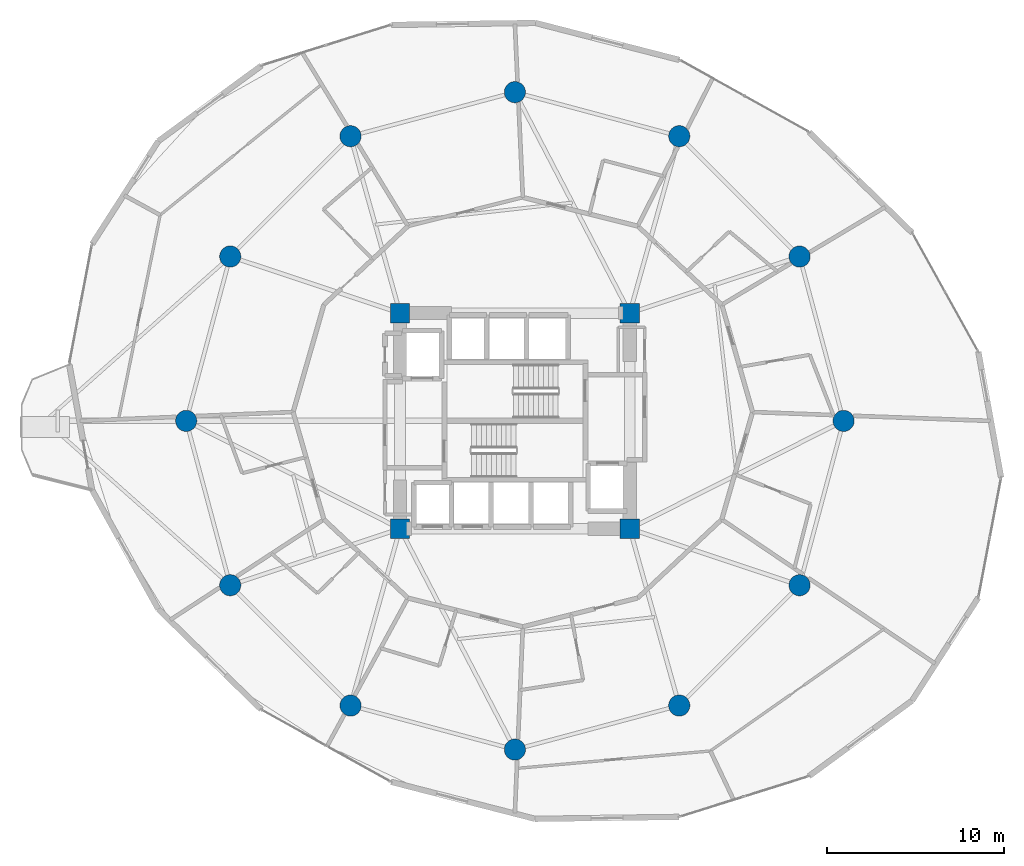
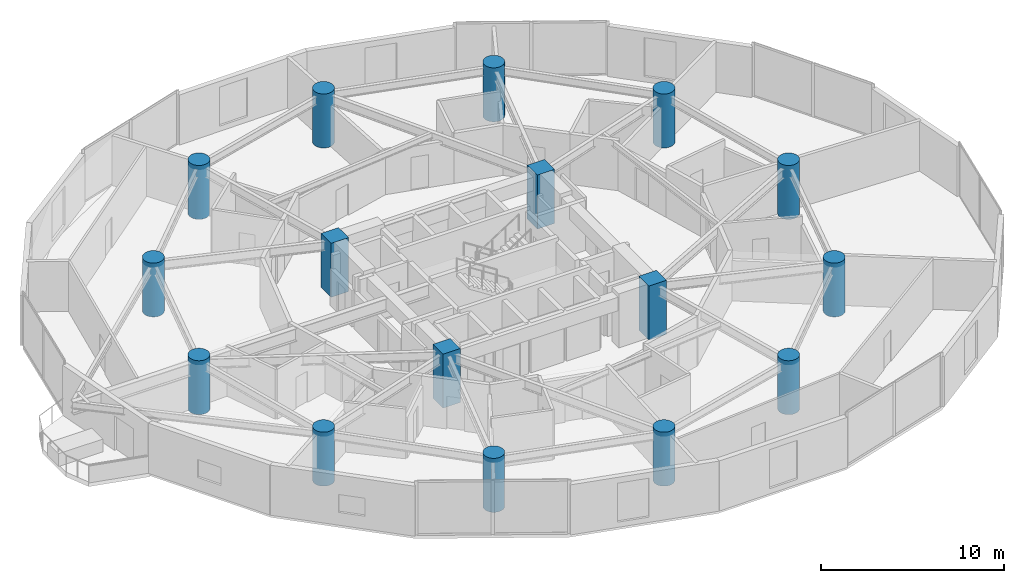
# One storey, part 1 of 22: 16 columns.
"""IFC4 building model written with IfcOpenShell, lengths in metres."""

from ifc_helpers import new_model, si_unit, direction, frame, origin, origin_2d, place, context, subcontext, project, spatial, rectangle, circle, extrude, material, material_profile, profile_set, type_object, element, save


model = new_model("IFC4")

# Units and contexts
model_context = context("Model", 3, precision=1e-05, world=origin(), true_north=direction((0.0, 1.0)))
body_context = subcontext(model_context, "Body", "Model", "MODEL_VIEW")
ifc_project = project(units=[si_unit("LENGTHUNIT", "METRE"), si_unit("AREAUNIT", "SQUARE_METRE"), si_unit("VOLUMEUNIT", "CUBIC_METRE"), si_unit("PLANEANGLEUNIT", "RADIAN"), si_unit("MASSUNIT", "GRAM", prefix="KILO")], contexts=[model_context])

# Site, building, storey
site_placement = place(None, origin())
site = spatial("IfcSite", under=ifc_project, at=site_placement, CompositionType="ELEMENT")
building_placement = place(site_placement, origin())
building = spatial("IfcBuilding", under=site, at=building_placement, Name="Solvirekh Grand Hotel", CompositionType="ELEMENT")
storey_placement = place(building_placement, frame((0.0, 0.0, 78.800048828125)))
storey = spatial("IfcBuildingStorey", under=building, at=storey_placement, Name="L19", CompositionType="ELEMENT", Elevation=78.800048828125)

# Columns
ifc_material = material(Name="Concrete C60/75", Category="concrete")
ifc_material_profile_1 = material_profile(ifc_material, rectangle(XDim=1.10009765625, YDim=1.10009765625, at=origin_2d()), Name="RC 1100X1100")
ifc_profile_set_1 = profile_set([ifc_material_profile_1], Name="Concrete C60/75")
column_type_1 = type_object("IfcColumnType", Name="Col_Core_1100", PredefinedType="COLUMN", material=ifc_profile_set_1)
for number, where, z_axis, x_axis, name in (
    (1, (-6.5, -6.10009765625, 0.0), (0.0, 0.0, 1.0), (1.0, 0.0, 0.0), "L19 core corner column CC1"),
    (2, (6.5, -6.10009765625, 0.0), (0.0, 0.0, 1.0), (1.0, 0.0, 0.0), "L19 core corner column CC2"),
    (3, (6.5, 6.10009765625, 0.0), (0.0, 0.0, 1.0), (1.0, 0.0, 0.0), "L19 core corner column CC3"),
    (4, (-6.5, 6.10009765625, 0.0), (0.0, 0.0, 1.0), (1.0, 0.0, 0.0), "L19 core corner column CC4"),
):
    element("IfcColumn", number, at=place(storey_placement, frame(where, z_axis=z_axis, x_axis=x_axis)), inside=storey, type_object=column_type_1, Name=name, PredefinedType="COLUMN", context=body_context, shape_type="SweptSolid", body=[
        extrude(rectangle(XDim=1.10009765625, YDim=1.10009765625, at=origin_2d()), origin(), (0.0, 0.0, 1.0), 3.599853515625),
    ])
ifc_material_profile_2 = material_profile(ifc_material, circle(Radius=0.60009765625, at=origin_2d()), Name="RC CIRC D1200")
ifc_profile_set_2 = profile_set([ifc_material_profile_2], Name="Concrete C60/75")
column_type_2 = type_object("IfcColumnType", Name="Col_Z1_D1200", PredefinedType="COLUMN", material=ifc_profile_set_2)
for number, where, z_axis, x_axis, name in (
    (5, (18.60009765625, 0.0, 0.0), (0.0, 0.0, 1.0), (1.0, 0.0, 0.0), "L19 perimeter column P01"),
    (6, (16.10791015625, 9.300048828125, 0.0), (0.0, 0.0, 1.0), (1.0, 0.0, 0.0), "L19 perimeter column P02"),
    (7, (9.300048828125, 16.10791015625, 0.0), (0.0, 0.0, 1.0), (1.0, 0.0, 0.0), "L19 perimeter column P03"),
    (8, (0.0, 18.60009765625, 0.0), (0.0, 0.0, 1.0), (1.0, 0.0, 0.0), "L19 perimeter column P04"),
    (9, (-9.300048828125, 16.10791015625, 0.0), (0.0, 0.0, 1.0), (1.0, 0.0, 0.0), "L19 perimeter column P05"),
    (10, (-16.10791015625, 9.300048828125, 0.0), (0.0, 0.0, 1.0), (1.0, 0.0, 0.0), "L19 perimeter column P06"),
    (11, (-18.60009765625, 0.0, 0.0), (0.0, 0.0, 1.0), (1.0, 0.0, 0.0), "L19 perimeter column P07"),
    (12, (-16.10791015625, -9.300048828125, 0.0), (0.0, 0.0, 1.0), (1.0, 0.0, 0.0), "L19 perimeter column P08"),
    (13, (-9.300048828125, -16.10791015625, 0.0), (0.0, 0.0, 1.0), (1.0, 0.0, 0.0), "L19 perimeter column P09"),
    (14, (0.0, -18.60009765625, 0.0), (0.0, 0.0, 1.0), (1.0, 0.0, 0.0), "L19 perimeter column P10"),
    (15, (9.300048828125, -16.10791015625, 0.0), (0.0, 0.0, 1.0), (1.0, 0.0, 0.0), "L19 perimeter column P11"),
    (16, (16.10791015625, -9.300048828125, 0.0), (0.0, 0.0, 1.0), (1.0, 0.0, 0.0), "L19 perimeter column P12"),
):
    element("IfcColumn", number, at=place(storey_placement, frame(where, z_axis=z_axis, x_axis=x_axis)), inside=storey, type_object=column_type_2, Name=name, PredefinedType="COLUMN", context=body_context, shape_type="SweptSolid", body=[
        extrude(circle(Radius=0.60009765625, at=origin_2d()), origin(), (0.0, 0.0, 1.0), 3.599853515625),
    ])

save(model, "model.ifc")
